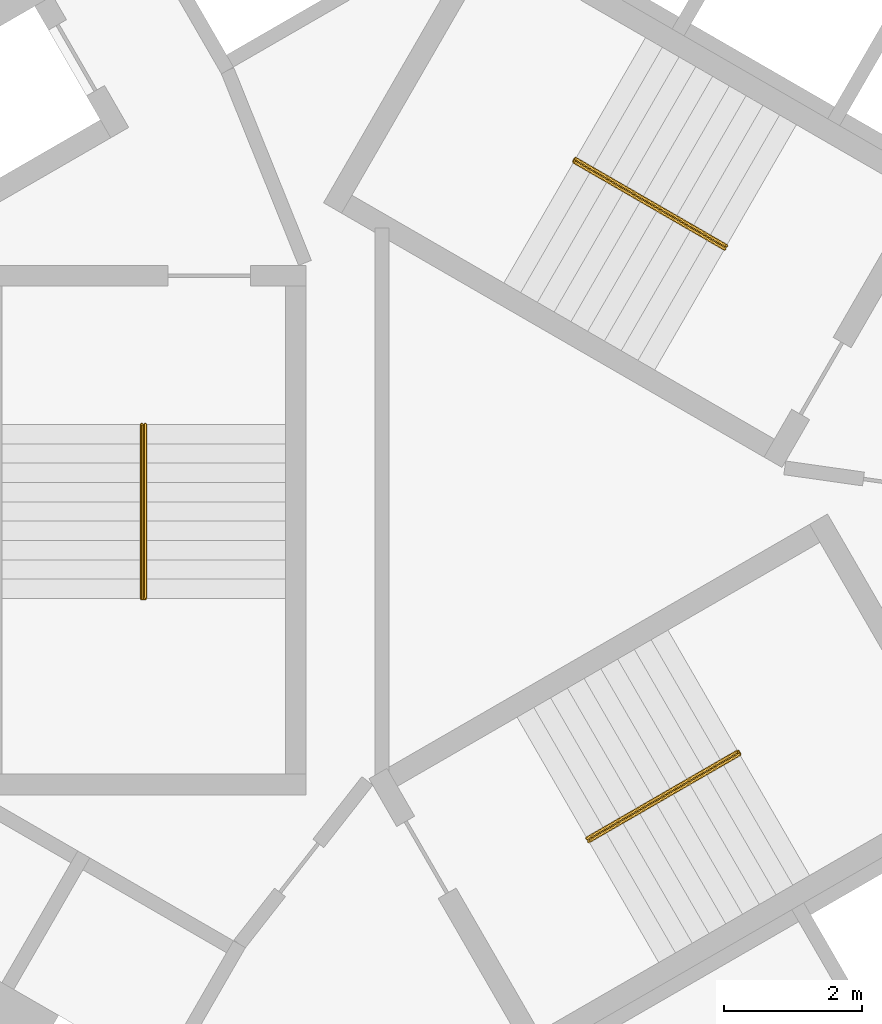
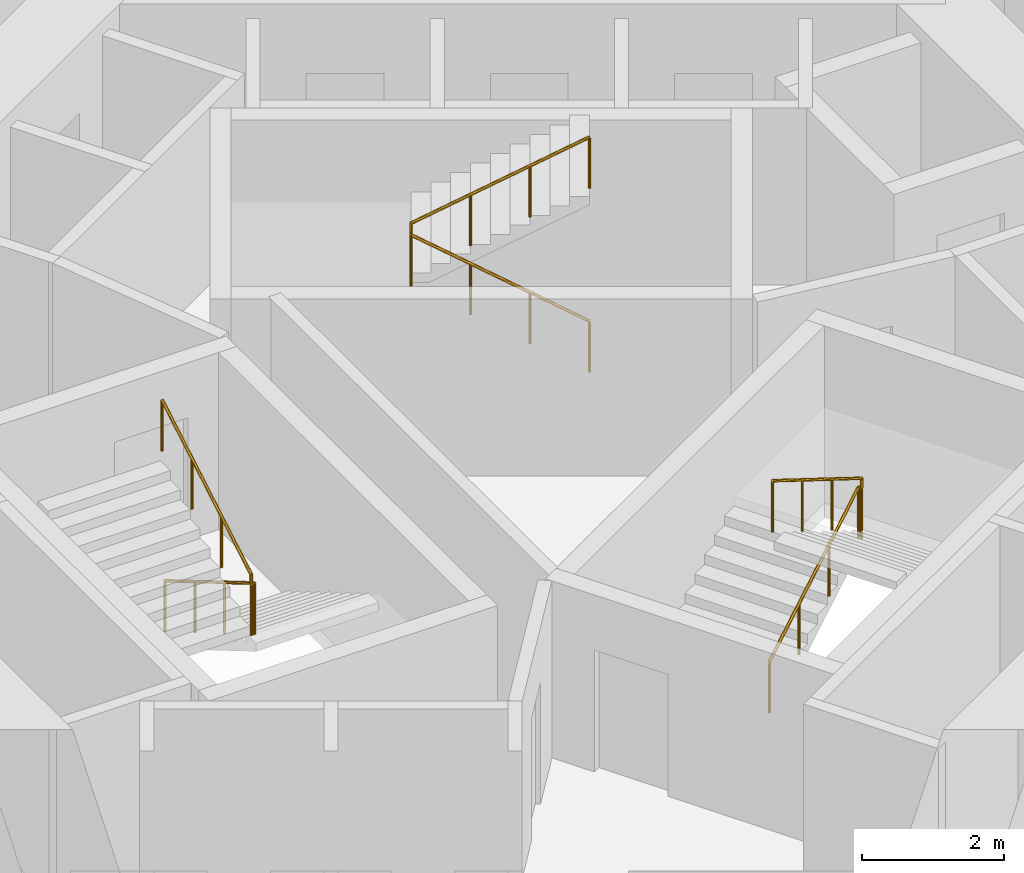
# One storey, part 12 of 12: 3 railings.
"""IFC4 building model written with IfcOpenShell, lengths in metres."""

from ifc_helpers import new_model, si_unit, direction, frame, origin, origin_2d, place, context, subcontext, project, spatial, circle, extrude, material, type_object, element, save


model = new_model("IFC4")

# Units and contexts
model_context = context("Model", 3, precision=1e-05, world=origin(), true_north=direction((0.0, 1.0)))
body_context = subcontext(model_context, "Body", "Model", "MODEL_VIEW")
ifc_project = project(units=[si_unit("LENGTHUNIT", "METRE"), si_unit("AREAUNIT", "SQUARE_METRE"), si_unit("VOLUMEUNIT", "CUBIC_METRE"), si_unit("PLANEANGLEUNIT", "RADIAN"), si_unit("MASSUNIT", "GRAM", prefix="KILO")], contexts=[model_context])

# Site, building, storey
site_placement = place(None, origin())
site = spatial("IfcSite", under=ifc_project, at=site_placement, CompositionType="ELEMENT")
building_placement = place(site_placement, origin())
building = spatial("IfcBuilding", under=site, at=building_placement, Name="Vanh Sen Convention Tower", CompositionType="ELEMENT")
storey_placement = place(building_placement, frame((0.0, 0.0, 53.89990234375)))
storey = spatial("IfcBuildingStorey", under=building, at=storey_placement, Name="L10", CompositionType="ELEMENT", Elevation=53.89990234375)

# Railings
ifc_material = material(Name="Stainless steel handrail", Category="steel")
railing_type = type_object("IfcRailingType", Name="Stair handrail 900", PredefinedType="HANDRAIL", material=ifc_material)
railing_1_placement = place(storey_placement, frame((3.45849609375, 3.690185546875, 0.1650390625)))
element("IfcRailing", 1, at=railing_1_placement, inside=storey, type_object=railing_type, Name="Stair handrail ST1 L10", PredefinedType="HANDRAIL", context=body_context, shape_type="SweptSolid", body=[
    extrude(circle(Radius=0.02392578125, at=origin_2d()), frame((0.0, 0.0, 0.8759765625), z_axis=(-0.746134546661, 0.430738299252, 0.507688640642), x_axis=(-0.499962843328, -0.866046855136, 0.0)), (0.0, 0.0, 1.0), 2.92529296875),
    extrude(circle(Radius=0.02392578125, at=origin_2d()), frame((-2.1826171875, 1.260009765625, 2.36083984375), z_axis=(0.502959906984, 0.86430974307, 0.0), x_axis=(-0.86430974307, 0.502959906984, 0.0)), (0.0, 0.0, 1.0), 0.050048828125),
    extrude(circle(Radius=0.02392578125, at=origin_2d()), frame((-2.157470703125, 1.30322265625, 2.36083984375), z_axis=(0.0, 0.0, 1.0), x_axis=(1.0, 0.0, 0.0)), (0.0, 0.0, 1.0), 0.1650390625),
    extrude(circle(Radius=0.02392578125, at=origin_2d()), frame((-2.157470703125, 1.30322265625, 2.52587890625), z_axis=(0.746129163535, -0.430783377672, 0.507658303235), x_axis=(0.500004791531, 0.866022637375, 0.0)), (0.0, 0.0, 1.0), 2.9248046875),
    extrude(circle(Radius=0.02099609375, at=origin_2d()), origin(), (0.0, 0.0, 1.0), 0.851806640625),
    extrude(circle(Radius=0.02099609375, at=origin_2d()), frame((-0.7275390625, 0.419921875, 0.4951171875)), (0.0, 0.0, 1.0), 0.851806640625),
    extrude(circle(Radius=0.02099609375, at=origin_2d()), frame((-1.455078125, 0.840087890625, 0.989990234375)), (0.0, 0.0, 1.0), 0.851806640625),
    extrude(circle(Radius=0.02099609375, at=origin_2d()), frame((-2.1826171875, 1.260009765625, 1.485107421875)), (0.0, 0.0, 1.0), 0.851806640625),
    extrude(circle(Radius=0.02099609375, at=origin_2d()), frame((-2.157470703125, 1.30322265625, 1.485107421875)), (0.0, 0.0, 1.0), 0.851806640625),
    extrude(circle(Radius=0.02099609375, at=origin_2d()), frame((-2.157470703125, 1.30322265625, 1.650146484375)), (0.0, 0.0, 1.0), 0.851806640625),
    extrude(circle(Radius=0.02099609375, at=origin_2d()), frame((-1.429931640625, 0.88330078125, 2.14501953125)), (0.0, 0.0, 1.0), 0.851806640625),
    extrude(circle(Radius=0.02099609375, at=origin_2d()), frame((-0.70263671875, 0.463134765625, 2.64013671875)), (0.0, 0.0, 1.0), 0.851806640625),
    extrude(circle(Radius=0.02099609375, at=origin_2d()), frame((0.02490234375, 0.043212890625, 3.135009765625)), (0.0, 0.0, 1.0), 0.851806640625),
])
railing_2_placement = place(storey_placement, frame((-4.925048828125, 1.14990234375, 0.1650390625)))
element("IfcRailing", 2, at=railing_2_placement, inside=storey, type_object=railing_type, Name="Stair handrail ST2 L10", PredefinedType="HANDRAIL", context=body_context, shape_type="SweptSolid", body=[
    extrude(circle(Radius=0.02392578125, at=origin_2d()), frame((0.0, 0.0, 0.8759765625), z_axis=(0.0, -0.86152411907, 0.507716645641), x_axis=(1.0, 0.0, 0.0)), (0.0, 0.0, 1.0), 2.925048828125),
    extrude(circle(Radius=0.02392578125, at=origin_2d()), frame((0.0, -2.52001953125, 2.36083984375), z_axis=(-1.0, 0.0, 0.0), x_axis=(0.0, -1.0, 0.0)), (0.0, 0.0, 1.0), 0.050048828125),
    extrude(circle(Radius=0.02392578125, at=origin_2d()), frame((-0.050048828125, -2.52001953125, 2.36083984375), z_axis=(0.0, 0.0, 1.0), x_axis=(1.0, 0.0, 0.0)), (0.0, 0.0, 1.0), 0.1650390625),
    extrude(circle(Radius=0.02392578125, at=origin_2d()), frame((-0.050048828125, -2.52001953125, 2.52587890625), z_axis=(0.0, 0.861560626758, 0.507654692109), x_axis=(-1.0, 0.0, 0.0)), (0.0, 0.0, 1.0), 2.925048828125),
    extrude(circle(Radius=0.02099609375, at=origin_2d()), origin(), (0.0, 0.0, 1.0), 0.851806640625),
    extrude(circle(Radius=0.02099609375, at=origin_2d()), frame((0.0, -0.840087890625, 0.4951171875)), (0.0, 0.0, 1.0), 0.851806640625),
    extrude(circle(Radius=0.02099609375, at=origin_2d()), frame((0.0, -1.679931640625, 0.989990234375)), (0.0, 0.0, 1.0), 0.851806640625),
    extrude(circle(Radius=0.02099609375, at=origin_2d()), frame((0.0, -2.52001953125, 1.485107421875)), (0.0, 0.0, 1.0), 0.851806640625),
    extrude(circle(Radius=0.02099609375, at=origin_2d()), frame((-0.050048828125, -2.52001953125, 1.485107421875)), (0.0, 0.0, 1.0), 0.851806640625),
    extrude(circle(Radius=0.02099609375, at=origin_2d()), frame((-0.050048828125, -2.52001953125, 1.650146484375)), (0.0, 0.0, 1.0), 0.851806640625),
    extrude(circle(Radius=0.02099609375, at=origin_2d()), frame((-0.050048828125, -1.679931640625, 2.14501953125)), (0.0, 0.0, 1.0), 0.851806640625),
    extrude(circle(Radius=0.02099609375, at=origin_2d()), frame((-0.050048828125, -0.840087890625, 2.64013671875)), (0.0, 0.0, 1.0), 0.851806640625),
    extrude(circle(Radius=0.02099609375, at=origin_2d()), frame((-0.050048828125, 0.0, 3.135009765625)), (0.0, 0.0, 1.0), 0.851806640625),
])
railing_3_placement = place(storey_placement, frame((1.466552734375, -4.840087890625, 0.1650390625)))
element("IfcRailing", 3, at=railing_3_placement, inside=storey, type_object=railing_type, Name="Stair handrail ST3 L10", PredefinedType="HANDRAIL", context=body_context, shape_type="SweptSolid", body=[
    extrude(circle(Radius=0.02392578125, at=origin_2d()), frame((0.0, 0.0, 0.8759765625), z_axis=(0.746097546679, 0.430765123438, 0.507720256902), x_axis=(-0.500004791531, 0.866022637375, 0.0)), (0.0, 0.0, 1.0), 2.925048828125),
    extrude(circle(Radius=0.02392578125, at=origin_2d()), frame((2.182373046875, 1.260009765625, 2.36083984375), z_axis=(0.500844580232, -0.86553723574, 0.0), x_axis=(0.86553723574, 0.500844580232, 0.0)), (0.0, 0.0, 1.0), 0.05029296875),
    extrude(circle(Radius=0.02392578125, at=origin_2d()), frame((2.20751953125, 1.216552734375, 2.36083984375), z_axis=(0.0, 0.0, 1.0), x_axis=(1.0, 0.0, 0.0)), (0.0, 0.0, 1.0), 0.1650390625),
    extrude(circle(Radius=0.02392578125, at=origin_2d()), frame((2.20751953125, 1.216552734375, 2.52587890625), z_axis=(-0.746129163535, -0.430783377672, 0.507658303235), x_axis=(0.500004791531, -0.866022637375, 0.0)), (0.0, 0.0, 1.0), 2.9248046875),
    extrude(circle(Radius=0.02099609375, at=origin_2d()), origin(), (0.0, 0.0, 1.0), 0.851806640625),
    extrude(circle(Radius=0.02099609375, at=origin_2d()), frame((0.7275390625, 0.419921875, 0.4951171875)), (0.0, 0.0, 1.0), 0.851806640625),
    extrude(circle(Radius=0.02099609375, at=origin_2d()), frame((1.454833984375, 0.840087890625, 0.989990234375)), (0.0, 0.0, 1.0), 0.851806640625),
    extrude(circle(Radius=0.02099609375, at=origin_2d()), frame((2.182373046875, 1.260009765625, 1.485107421875)), (0.0, 0.0, 1.0), 0.851806640625),
    extrude(circle(Radius=0.02099609375, at=origin_2d()), frame((2.20751953125, 1.216552734375, 1.485107421875)), (0.0, 0.0, 1.0), 0.851806640625),
    extrude(circle(Radius=0.02099609375, at=origin_2d()), frame((2.20751953125, 1.216552734375, 1.650146484375)), (0.0, 0.0, 1.0), 0.851806640625),
    extrude(circle(Radius=0.02099609375, at=origin_2d()), frame((1.47998046875, 0.796630859375, 2.14501953125)), (0.0, 0.0, 1.0), 0.851806640625),
    extrude(circle(Radius=0.02099609375, at=origin_2d()), frame((0.752685546875, 0.37646484375, 2.64013671875)), (0.0, 0.0, 1.0), 0.851806640625),
    extrude(circle(Radius=0.02099609375, at=origin_2d()), frame((0.025146484375, -0.04345703125, 3.135009765625)), (0.0, 0.0, 1.0), 0.851806640625),
])

save(model, "model.ifc")
